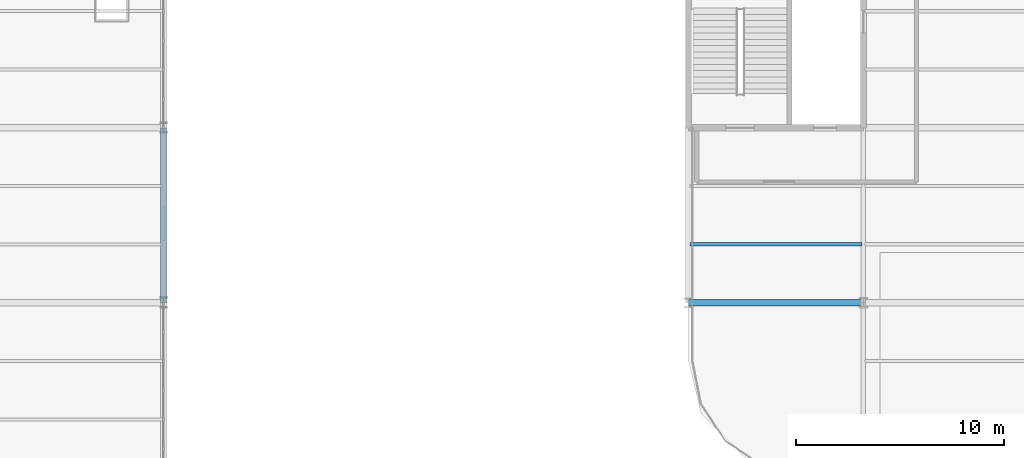
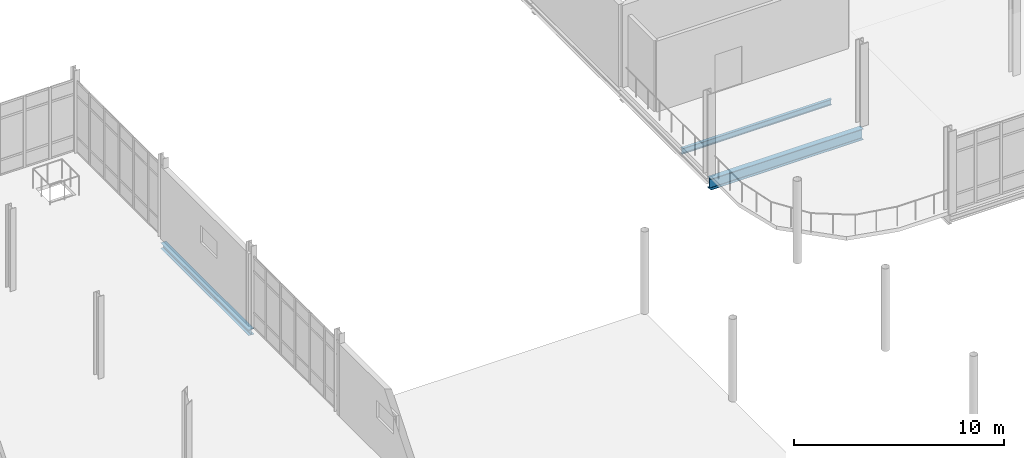
# One storey, part 69 of 145: 3 beams.
"""IFC4 building model written with IfcOpenShell, lengths in metres."""

from ifc_helpers import new_model, si_unit, direction, frame, origin, origin_2d, place, context, subcontext, project, spatial, i_section, extrude, material, material_profile, profile_set, type_object, element, save


model = new_model("IFC4")

# Units and contexts
model_context = context("Model", 3, precision=1e-05, world=origin(), true_north=direction((0.0, 1.0)))
body_context = subcontext(model_context, "Body", "Model", "MODEL_VIEW")
ifc_project = project(units=[si_unit("LENGTHUNIT", "METRE"), si_unit("AREAUNIT", "SQUARE_METRE"), si_unit("VOLUMEUNIT", "CUBIC_METRE"), si_unit("PLANEANGLEUNIT", "RADIAN"), si_unit("MASSUNIT", "GRAM", prefix="KILO")], contexts=[model_context])

# Site, building, storey
site_placement = place(None, origin())
site = spatial("IfcSite", under=ifc_project, at=site_placement, CompositionType="ELEMENT")
building_placement = place(site_placement, origin())
building = spatial("IfcBuilding", under=site, at=building_placement, Name="Qalvenar Corner Mobility Hub", CompositionType="ELEMENT")
storey_placement = place(building_placement, origin())
storey = spatial("IfcBuildingStorey", under=building, at=storey_placement, Name="L00", CompositionType="ELEMENT", Elevation=0.0)

# Beams
ifc_material = material(Name="Steel S355", Category="steel")
ifc_material_profile_1 = material_profile(ifc_material, i_section(OverallWidth=0.300048828125, OverallDepth=0.639892578125, WebThickness=0.013427734375, FlangeThickness=0.02587890625, FilletRadius=0.027099609375, at=origin_2d()), Name="HEA650")
ifc_profile_set_1 = profile_set([ifc_material_profile_1], Name="Steel S355")
beam_type_1 = type_object("IfcBeamType", Name="BM-HEA650", PredefinedType="BEAM", material=ifc_profile_set_1)
beam_1_placement = place(storey_placement, frame((58.800048828125, 75.60009765625, -0.5400390625), z_axis=(1.0, 0.0, 0.0), x_axis=(0.0, 1.0, 0.0)))
element("IfcBeam", 1, at=beam_1_placement, inside=storey, type_object=beam_type_1, Name="Primary Steel Girder GX-0531", PredefinedType="BEAM", context=body_context, shape_type="SweptSolid", body=[
    extrude(i_section(OverallWidth=0.300048828125, OverallDepth=0.639892578125, WebThickness=0.013427734375, FlangeThickness=0.02587890625, FilletRadius=0.027099609375, at=origin_2d()), origin(), (0.0, 0.0, 1.0), 8.39990234375),
])
ifc_material_profile_2 = material_profile(ifc_material, i_section(OverallWidth=0.159912109375, OverallDepth=0.330078125, WebThickness=0.007568359375, FlangeThickness=0.011474609375, FilletRadius=0.01806640625, at=origin_2d()), Name="IPE330")
ifc_profile_set_2 = profile_set([ifc_material_profile_2], Name="Steel S355")
beam_type_2 = type_object("IfcBeamType", Name="BM-JST330", PredefinedType="JOIST", material=ifc_profile_set_2)
beam_2_placement = place(storey_placement, frame((58.8779296875, 78.39990234375, -0.385009765625), z_axis=(1.0, 0.0, 0.0), x_axis=(0.0, 1.0, 0.0)))
element("IfcBeam", 2, at=beam_2_placement, inside=storey, type_object=beam_type_2, Name="Composite Floor Joist J-0651", PredefinedType="JOIST", context=body_context, shape_type="SweptSolid", body=[
    extrude(i_section(OverallWidth=0.159912109375, OverallDepth=0.330078125, WebThickness=0.007568359375, FlangeThickness=0.011474609375, FilletRadius=0.01806640625, at=origin_2d()), origin(), (0.0, 0.0, 1.0), 8.244140625),
])
ifc_material_profile_3 = material_profile(ifc_material, i_section(OverallWidth=0.300048828125, OverallDepth=0.330078125, WebThickness=0.009521484375, FlangeThickness=0.0166015625, FilletRadius=0.027099609375, at=origin_2d()), Name="HEA340")
ifc_profile_set_3 = profile_set([ifc_material_profile_3], Name="Steel S355")
beam_type_3 = type_object("IfcBeamType", Name="BM-SPN340", PredefinedType="SPANDREL", material=ifc_profile_set_3)
beam_3_placement = place(storey_placement, frame((33.60009765625, 75.60009765625, -0.385009765625), z_axis=(0.0, 1.0, 0.0), x_axis=(-1.0, 0.0, 0.0)))
element("IfcBeam", 3, at=beam_3_placement, inside=storey, type_object=beam_type_3, Name="Primary Steel Girder GY-0475", PredefinedType="SPANDREL", context=body_context, shape_type="SweptSolid", body=[
    extrude(i_section(OverallWidth=0.300048828125, OverallDepth=0.330078125, WebThickness=0.009521484375, FlangeThickness=0.0166015625, FilletRadius=0.027099609375, at=origin_2d()), origin(), (0.0, 0.0, 1.0), 8.39990234375),
])

save(model, "model.ifc")
